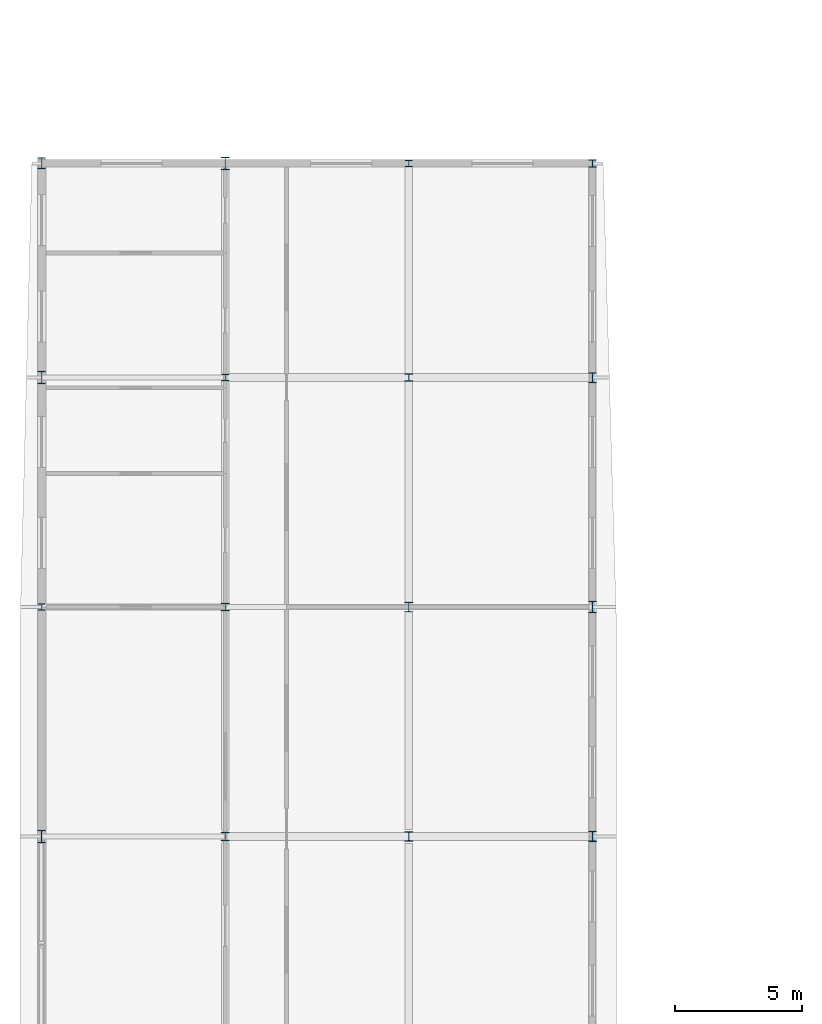
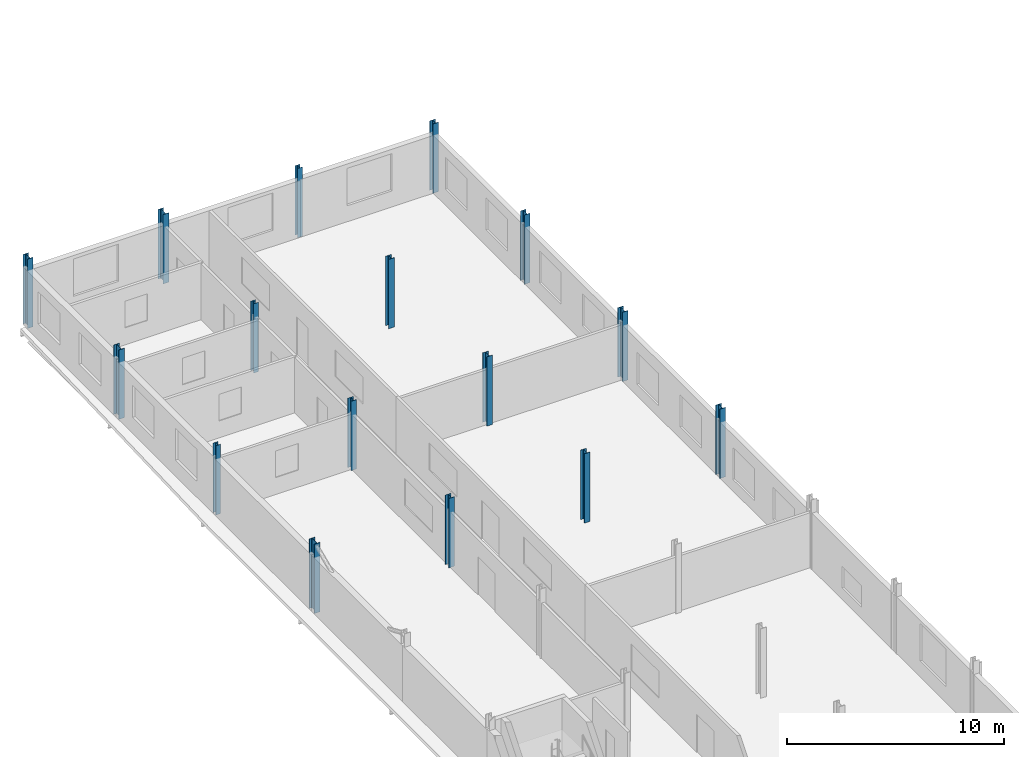
# One storey, part 4 of 49: 16 columns.
"""IFC4 building model written with IfcOpenShell, lengths in metres."""

from ifc_helpers import new_model, si_unit, direction, frame, origin, origin_2d, place, context, subcontext, project, spatial, i_section, extrude, material, material_profile, profile_set, type_object, element, save


model = new_model("IFC4")

# Units and contexts
model_context = context("Model", 3, precision=1e-05, world=origin(), true_north=direction((0.0, 1.0)))
body_context = subcontext(model_context, "Body", "Model", "MODEL_VIEW")
ifc_project = project(units=[si_unit("LENGTHUNIT", "METRE"), si_unit("AREAUNIT", "SQUARE_METRE"), si_unit("VOLUMEUNIT", "CUBIC_METRE"), si_unit("PLANEANGLEUNIT", "RADIAN"), si_unit("MASSUNIT", "GRAM", prefix="KILO")], contexts=[model_context])

# Site, building, storey
site_placement = place(None, origin())
site = spatial("IfcSite", under=ifc_project, at=site_placement, CompositionType="ELEMENT")
building_placement = place(site_placement, origin())
building = spatial("IfcBuilding", under=site, at=building_placement, Name="Vinh Khe Railworks Police Headquarters", CompositionType="ELEMENT")
storey_placement = place(building_placement, frame((0.0, 0.0, 17.10009765625)))
storey = spatial("IfcBuildingStorey", under=building, at=storey_placement, Name="L04", CompositionType="ELEMENT", Elevation=17.10009765625)

# Columns
ifc_material = material(Name="Steel S355JR", Category="steel")
ifc_material_profile_1 = material_profile(ifc_material, i_section(OverallWidth=0.300048828125, OverallDepth=0.389892578125, WebThickness=0.010986328125, FlangeThickness=0.01904296875, FilletRadius=0.027099609375, at=origin_2d()), Name="HEA 400")
ifc_profile_set_1 = profile_set([ifc_material_profile_1], Name="Steel S355JR")
column_type_1 = type_object("IfcColumnType", Name="Steel Column HEA 400", PredefinedType="COLUMN", material=ifc_profile_set_1)
for number, where, z_axis, x_axis, name in (
    (1, (15.0, 113.39990234375, 0.0), (0.0, 0.0, 1.0), (1.0, 0.0, 0.0), "Column COL-L04-SC-15-0486"),
    (2, (22.199951171875, 122.39990234375, 0.0), (0.0, 0.0, 1.0), (1.0, 0.0, 0.0), "Column COL-L04-SC-15-0646"),
):
    element("IfcColumn", number, at=place(storey_placement, frame(where, z_axis=z_axis, x_axis=x_axis)), inside=storey, type_object=column_type_1, Name=name, PredefinedType="COLUMN", context=body_context, shape_type="SweptSolid", body=[
        extrude(i_section(OverallWidth=0.300048828125, OverallDepth=0.389892578125, WebThickness=0.010986328125, FlangeThickness=0.01904296875, FilletRadius=0.027099609375, at=origin_2d()), origin(), (0.0, 0.0, 1.0), 3.89990234375),
    ])
ifc_material_profile_2 = material_profile(ifc_material, i_section(OverallWidth=0.300048828125, OverallDepth=0.43994140625, WebThickness=0.011474609375, FlangeThickness=0.02099609375, FilletRadius=0.027099609375, at=origin_2d()), Name="HEA 450")
ifc_profile_set_2 = profile_set([ifc_material_profile_2], Name="Steel S355JR")
column_type_2 = type_object("IfcColumnType", Name="Steel Column HEA 450", PredefinedType="COLUMN", material=ifc_profile_set_2)
for number, where, z_axis, x_axis, name in (
    (3, (0.60009765625, 130.800048828125, 0.0), (0.0, 0.0, 1.0), (1.0, 0.0, 0.0), "Column COL-L04-SC-14-0166"),
    (4, (22.199951171875, 113.39990234375, 0.0), (0.0, 0.0, 1.0), (1.0, 0.0, 0.0), "Column COL-L04-SC-14-0639"),
):
    element("IfcColumn", number, at=place(storey_placement, frame(where, z_axis=z_axis, x_axis=x_axis)), inside=storey, type_object=column_type_2, Name=name, PredefinedType="COLUMN", context=body_context, shape_type="SweptSolid", body=[
        extrude(i_section(OverallWidth=0.300048828125, OverallDepth=0.43994140625, WebThickness=0.011474609375, FlangeThickness=0.02099609375, FilletRadius=0.027099609375, at=origin_2d()), origin(), (0.0, 0.0, 1.0), 3.89990234375),
    ])
ifc_material_profile_3 = material_profile(ifc_material, i_section(OverallWidth=0.300048828125, OverallDepth=0.489990234375, WebThickness=0.011962890625, FlangeThickness=0.02294921875, FilletRadius=0.027099609375, at=origin_2d()), Name="HEA 500")
ifc_profile_set_3 = profile_set([ifc_material_profile_3], Name="Steel S355JR")
column_type_3 = type_object("IfcColumnType", Name="Steel Column HEA 500", PredefinedType="COLUMN", material=ifc_profile_set_3)
for number, where, z_axis, x_axis, name in (
    (5, (0.60009765625, 122.39990234375, 0.0), (0.0, 0.0, 1.0), (1.0, 0.0, 0.0), "Column COL-L04-SC-13-0159"),
    (6, (7.800048828125, 130.800048828125, 0.0), (0.0, 0.0, 1.0), (1.0, 0.0, 0.0), "Column COL-L04-SC-13-0333"),
):
    element("IfcColumn", number, at=place(storey_placement, frame(where, z_axis=z_axis, x_axis=x_axis)), inside=storey, type_object=column_type_3, Name=name, PredefinedType="COLUMN", context=body_context, shape_type="SweptSolid", body=[
        extrude(i_section(OverallWidth=0.300048828125, OverallDepth=0.489990234375, WebThickness=0.011962890625, FlangeThickness=0.02294921875, FilletRadius=0.027099609375, at=origin_2d()), origin(), (0.0, 0.0, 1.0), 3.89990234375),
    ])
ifc_material_profile_4 = material_profile(ifc_material, i_section(OverallWidth=0.260009765625, OverallDepth=0.260009765625, WebThickness=0.010009765625, FlangeThickness=0.017578125, FilletRadius=0.02392578125, at=origin_2d()), Name="HEB 260")
ifc_profile_set_4 = profile_set([ifc_material_profile_4], Name="Steel S355JR")
column_type_4 = type_object("IfcColumnType", Name="Steel Column HEB 260", PredefinedType="COLUMN", material=ifc_profile_set_4)
for number, where, z_axis, x_axis, name in (
    (7, (0.60009765625, 113.39990234375, 0.0), (0.0, 0.0, 1.0), (1.0, 0.0, 0.0), "Column COL-L04-SC-12-0152"),
    (8, (7.800048828125, 122.39990234375, 0.0), (0.0, 0.0, 1.0), (1.0, 0.0, 0.0), "Column COL-L04-SC-12-0326"),
    (9, (15.0, 130.800048828125, 0.0), (0.0, 0.0, 1.0), (1.0, 0.0, 0.0), "Column COL-L04-SC-12-0500"),
):
    element("IfcColumn", number, at=place(storey_placement, frame(where, z_axis=z_axis, x_axis=x_axis)), inside=storey, type_object=column_type_4, Name=name, PredefinedType="COLUMN", context=body_context, shape_type="SweptSolid", body=[
        extrude(i_section(OverallWidth=0.260009765625, OverallDepth=0.260009765625, WebThickness=0.010009765625, FlangeThickness=0.017578125, FilletRadius=0.02392578125, at=origin_2d()), origin(), (0.0, 0.0, 1.0), 3.89990234375),
    ])
ifc_material_profile_5 = material_profile(ifc_material, i_section(OverallWidth=0.300048828125, OverallDepth=0.300048828125, WebThickness=0.010986328125, FlangeThickness=0.01904296875, FilletRadius=0.027099609375, at=origin_2d()), Name="HEB 300")
ifc_profile_set_5 = profile_set([ifc_material_profile_5], Name="Steel S355JR")
column_type_5 = type_object("IfcColumnType", Name="Steel Column HEB 300", PredefinedType="COLUMN", material=ifc_profile_set_5)
for number, where, z_axis, x_axis, name in (
    (10, (7.800048828125, 113.39990234375, 0.0), (0.0, 0.0, 1.0), (1.0, 0.0, 0.0), "Column COL-L04-SC-11-0319"),
    (11, (15.0, 122.39990234375, 0.0), (0.0, 0.0, 1.0), (1.0, 0.0, 0.0), "Column COL-L04-SC-11-0493"),
    (12, (22.199951171875, 130.800048828125, 0.0), (0.0, 0.0, 1.0), (1.0, 0.0, 0.0), "Column COL-L04-SC-11-0653"),
):
    element("IfcColumn", number, at=place(storey_placement, frame(where, z_axis=z_axis, x_axis=x_axis)), inside=storey, type_object=column_type_5, Name=name, PredefinedType="COLUMN", context=body_context, shape_type="SweptSolid", body=[
        extrude(i_section(OverallWidth=0.300048828125, OverallDepth=0.300048828125, WebThickness=0.010986328125, FlangeThickness=0.01904296875, FilletRadius=0.027099609375, at=origin_2d()), origin(), (0.0, 0.0, 1.0), 3.89990234375),
    ])
ifc_material_profile_6 = material_profile(ifc_material, i_section(OverallWidth=0.300048828125, OverallDepth=0.340087890625, WebThickness=0.011962890625, FlangeThickness=0.021484375, FilletRadius=0.027099609375, at=origin_2d()), Name="HEB 340")
ifc_profile_set_6 = profile_set([ifc_material_profile_6], Name="Steel S355JR")
column_type_6 = type_object("IfcColumnType", Name="Steel Column HEB 340", PredefinedType="COLUMN", material=ifc_profile_set_6)
column_1_placement = place(storey_placement, frame((7.800048828125, 104.39990234375, 0.0), z_axis=(0.0, 0.0, 1.0), x_axis=(1.0, 0.0, 0.0)))
element("IfcColumn", 13, at=column_1_placement, inside=storey, type_object=column_type_6, Name="Column COL-L04-SC-10-0309", PredefinedType="COLUMN", context=body_context, shape_type="SweptSolid", body=[
    extrude(i_section(OverallWidth=0.300048828125, OverallDepth=0.340087890625, WebThickness=0.011962890625, FlangeThickness=0.021484375, FilletRadius=0.027099609375, at=origin_2d()), origin(), (0.0, 0.0, 1.0), 3.89990234375),
])
ifc_material_profile_7 = material_profile(ifc_material, i_section(OverallWidth=0.300048828125, OverallDepth=0.360107421875, WebThickness=0.012451171875, FlangeThickness=0.0224609375, FilletRadius=0.027099609375, at=origin_2d()), Name="HEB 360")
ifc_profile_set_7 = profile_set([ifc_material_profile_7], Name="Steel S355JR")
column_type_7 = type_object("IfcColumnType", Name="Steel Column HEB 360", PredefinedType="COLUMN", material=ifc_profile_set_7)
column_2_placement = place(storey_placement, frame((15.0, 104.39990234375, 0.0), z_axis=(0.0, 0.0, 1.0), x_axis=(1.0, 0.0, 0.0)))
element("IfcColumn", 14, at=column_2_placement, inside=storey, type_object=column_type_7, Name="Column COL-L04-SC-09-0476", PredefinedType="COLUMN", context=body_context, shape_type="SweptSolid", body=[
    extrude(i_section(OverallWidth=0.300048828125, OverallDepth=0.360107421875, WebThickness=0.012451171875, FlangeThickness=0.0224609375, FilletRadius=0.027099609375, at=origin_2d()), origin(), (0.0, 0.0, 1.0), 3.89990234375),
])
ifc_material_profile_8 = material_profile(ifc_material, i_section(OverallWidth=0.300048828125, OverallDepth=0.39990234375, WebThickness=0.013427734375, FlangeThickness=0.02392578125, FilletRadius=0.027099609375, at=origin_2d()), Name="HEB 400")
ifc_profile_set_8 = profile_set([ifc_material_profile_8], Name="Steel S355JR")
column_type_8 = type_object("IfcColumnType", Name="Steel Column HEB 400", PredefinedType="COLUMN", material=ifc_profile_set_8)
column_3_placement = place(storey_placement, frame((22.199951171875, 104.39990234375, 0.0), z_axis=(0.0, 0.0, 1.0), x_axis=(1.0, 0.0, 0.0)))
element("IfcColumn", 15, at=column_3_placement, inside=storey, type_object=column_type_8, Name="Column COL-L04-SC-08-0630", PredefinedType="COLUMN", context=body_context, shape_type="SweptSolid", body=[
    extrude(i_section(OverallWidth=0.300048828125, OverallDepth=0.39990234375, WebThickness=0.013427734375, FlangeThickness=0.02392578125, FilletRadius=0.027099609375, at=origin_2d()), origin(), (0.0, 0.0, 1.0), 3.89990234375),
])
ifc_material_profile_9 = material_profile(ifc_material, i_section(OverallWidth=0.300048828125, OverallDepth=0.5, WebThickness=0.014404296875, FlangeThickness=0.028076171875, FilletRadius=0.027099609375, at=origin_2d()), Name="HEB 500")
ifc_profile_set_9 = profile_set([ifc_material_profile_9], Name="Steel S355JR")
column_type_9 = type_object("IfcColumnType", Name="Steel Column HEB 500", PredefinedType="COLUMN", material=ifc_profile_set_9)
column_4_placement = place(storey_placement, frame((0.60009765625, 104.39990234375, 0.0), z_axis=(0.0, 0.0, 1.0), x_axis=(1.0, 0.0, 0.0)))
element("IfcColumn", 16, at=column_4_placement, inside=storey, type_object=column_type_9, Name="Column COL-L04-SC-06-0142", PredefinedType="COLUMN", context=body_context, shape_type="SweptSolid", body=[
    extrude(i_section(OverallWidth=0.300048828125, OverallDepth=0.5, WebThickness=0.014404296875, FlangeThickness=0.028076171875, FilletRadius=0.027099609375, at=origin_2d()), origin(), (0.0, 0.0, 1.0), 3.89990234375),
])

save(model, "model.ifc")
